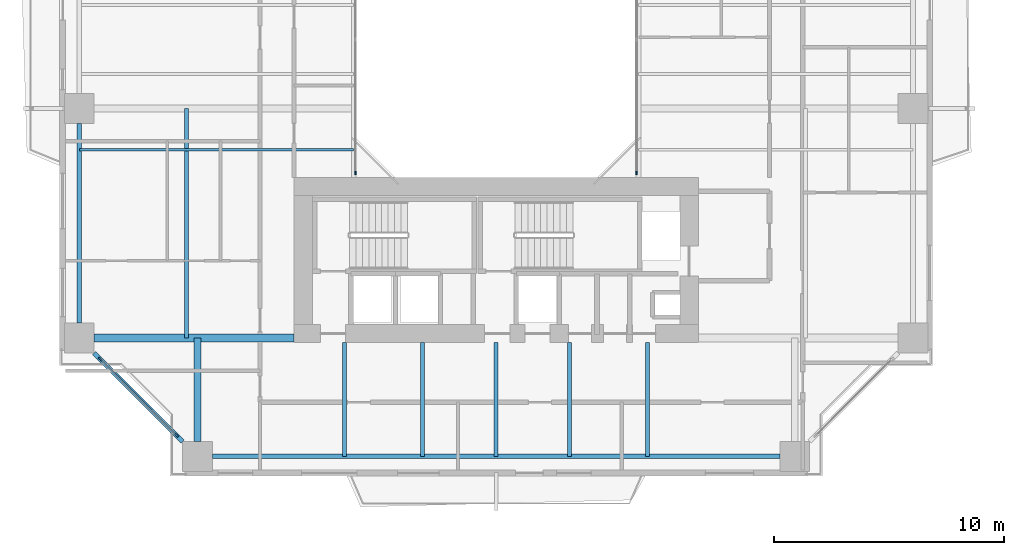
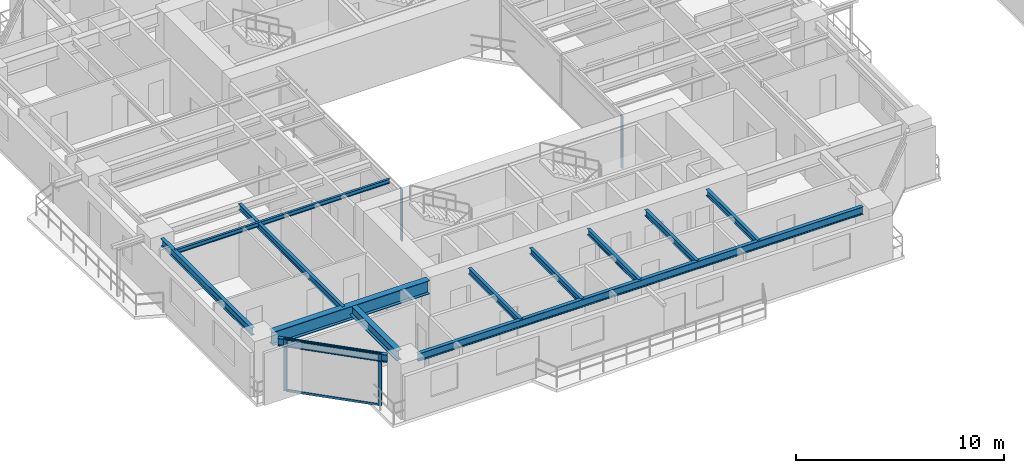
# One storey, part 2 of 23: 12 beams, 6 members, 3 elements without a shape of their own.
"""IFC4 building model written with IfcOpenShell, lengths in metres."""

import ifcopenshell
import ifcopenshell.guid

model = None  # the IFC model being written
_history = None  # IfcOwnerHistory: only IFC2X3 demands one
_inside = {}  # id of a spatial element -> (the spatial element, [elements in it])
_under = {}  # id of a project, library or spatial element -> (it, [spatial elements below it])
_declared = {}  # id of a project -> (the project, [libraries it declares])
_typed = {}  # id of a type object -> (the type object, [elements of that type])
_made_of = {}  # id of a material, layer set ... -> (it, [elements and type objects made of it])


def new_model(schema):
    """Start an empty IFC model of exactly this schema.

    Asked for "IFC4X3", IfcOpenShell would pick the latest addendum, in which some entities
    have other attributes; the version numbers below select the first issue.
    IFC2X3 requires an IfcOwnerHistory on every rooted entity: one is made here for all.
    """
    global model, _history
    if schema == "IFC4X3":
        model = ifcopenshell.file(schema_version=(4, 3, 0, 0))
    else:
        model = ifcopenshell.file(schema=schema)
    _inside.clear()
    _under.clear()
    _declared.clear()
    _typed.clear()
    _made_of.clear()
    _history = None
    if model.schema == "IFC2X3":
        org = make("IfcOrganization", Name="unknown")
        user = make(
            "IfcPersonAndOrganization",
            ThePerson=make("IfcPerson", FamilyName="unknown"),
            TheOrganization=org,
        )
        app = make(
            "IfcApplication",
            ApplicationDeveloper=org,
            Version="unknown",
            ApplicationFullName="unknown",
            ApplicationIdentifier="unknown",
        )
        _history = make(
            "IfcOwnerHistory",
            OwningUser=user,
            OwningApplication=app,
            ChangeAction="ADDED",
            CreationDate=0,
        )
    return model


def make(cls, **values):
    """One entity of the class cls with the attributes given. An attribute that is None is left unset."""
    return model.create_entity(
        cls, **{name: value for name, value in values.items() if value is not None}
    )


def rooted(cls, **values):
    """An entity with a GlobalId (a new one), such as an element, a storey or a relation."""
    return make(cls, GlobalId=ifcopenshell.guid.new(), OwnerHistory=_history, **values)


def si_unit(unit_type, name, prefix=None):
    """IfcSIUnit, for example si_unit("LENGTHUNIT", "METRE", prefix="MILLI")."""
    return make("IfcSIUnit", UnitType=unit_type, Prefix=prefix, Name=name)


def assignment(units):
    """IfcUnitAssignment: the units of a project."""
    return None if units is None else make("IfcUnitAssignment", Units=units)


def point(xyz):
    """IfcCartesianPoint."""
    return None if xyz is None else make("IfcCartesianPoint", Coordinates=xyz)


def direction(xyz):
    """IfcDirection."""
    return None if xyz is None else make("IfcDirection", DirectionRatios=xyz)


def frame(location, z_axis=None, x_axis=None):
    """IfcAxis2Placement3D, a coordinate frame: its origin and axes. An axis left out is left unset."""
    return make(
        "IfcAxis2Placement3D",
        Location=point(location),
        Axis=direction(z_axis),
        RefDirection=direction(x_axis),
    )


def frame_2d(location, x_axis=None):
    """IfcAxis2Placement2D, a coordinate frame in the plane: its origin and x axis."""
    return make(
        "IfcAxis2Placement2D", Location=point(location), RefDirection=direction(x_axis)
    )


def origin():
    """The frame at (0, 0, 0) with its axes left unset."""
    return frame((0.0, 0.0, 0.0))


def origin_2d():
    """The frame at (0, 0) in the plane with its x axis left unset."""
    return frame_2d((0.0, 0.0))


def place(relative_to, where):
    """IfcLocalPlacement: puts the frame where relative to a parent placement (None: the world)."""
    return make(
        "IfcLocalPlacement", PlacementRelTo=relative_to, RelativePlacement=where
    )


def context(
    kind, dimensions, precision=None, world=None, true_north=None, identifier=None
):
    """IfcGeometricRepresentationContext, for example the 3D "Model" context."""
    return make(
        "IfcGeometricRepresentationContext",
        ContextIdentifier=identifier,
        ContextType=kind,
        CoordinateSpaceDimension=dimensions,
        Precision=precision,
        WorldCoordinateSystem=world,
        TrueNorth=true_north,
    )


def subcontext(parent, identifier, kind, view, scale=None):
    """IfcGeometricRepresentationSubContext, for example "Body" below "Model"."""
    return make(
        "IfcGeometricRepresentationSubContext",
        ContextIdentifier=identifier,
        ContextType=kind,
        ParentContext=parent,
        TargetScale=scale,
        TargetView=view,
    )


def project(units=None, contexts=None):
    """IfcProject with its units and contexts."""
    return rooted(
        "IfcProject",
        Name="project",
        RepresentationContexts=contexts,
        UnitsInContext=assignment(units),
    )


def spatial(cls, under=None, at=None, **own):
    """A site, building, storey or space (cls), placed at a placement, below another one or the project."""
    s = rooted(cls, ObjectPlacement=at, **own)
    if under is not None:
        _under.setdefault(under.id(), (under, []))[1].append(s)
    return s


def profile(cls, at=None, kind="AREA", **sizes):
    """A parametric profile (cls). Its sizes go by their IFC names, for example OverallWidth=200.0."""
    return make(cls, ProfileType=kind, Position=at, **sizes)


def rectangle(**sizes):
    """IfcRectangleProfileDef."""
    return profile("IfcRectangleProfileDef", **sizes)


def i_section(**sizes):
    """IfcIShapeProfileDef."""
    return profile("IfcIShapeProfileDef", **sizes)


def extrude(swept, where, along, depth):
    """IfcExtrudedAreaSolid: the profile swept, set in the frame where, extruded along a direction by depth."""
    return make(
        "IfcExtrudedAreaSolid",
        SweptArea=swept,
        Position=where,
        ExtrudedDirection=direction(along),
        Depth=depth,
    )


def shape(context_of_items, identifier, shape_type, items):
    """IfcShapeRepresentation: the items that make up one representation, for example the "Body"."""
    return make(
        "IfcShapeRepresentation",
        ContextOfItems=context_of_items,
        RepresentationIdentifier=identifier,
        RepresentationType=shape_type,
        Items=items,
    )


def source(mapping_origin, context_of_items, identifier, shape_type, items):
    """IfcRepresentationMap: a shape defined once, which mapped items show again and again."""
    return make(
        "IfcRepresentationMap",
        MappingOrigin=mapping_origin,
        MappedRepresentation=shape(context_of_items, identifier, shape_type, items),
    )


def transform(
    local_origin,
    x_axis=None,
    y_axis=None,
    z_axis=None,
    scale=None,
    scale2=None,
    scale3=None,
    uniform=True,
):
    """IfcCartesianTransformationOperator3D, or its non-uniform kind. x_axis, y_axis, z_axis: its Axis1, 2, 3."""
    if uniform:
        return make(
            "IfcCartesianTransformationOperator3D",
            Axis1=direction(x_axis),
            Axis2=direction(y_axis),
            LocalOrigin=point(local_origin),
            Scale=scale,
            Axis3=direction(z_axis),
        )
    return make(
        "IfcCartesianTransformationOperator3DnonUniform",
        Axis1=direction(x_axis),
        Axis2=direction(y_axis),
        LocalOrigin=point(local_origin),
        Scale=scale,
        Axis3=direction(z_axis),
        Scale2=scale2,
        Scale3=scale3,
    )


def mapped(mapping_source, mapping_target):
    """IfcMappedItem: shows the shape of a source again, moved by a transform."""
    return make(
        "IfcMappedItem", MappingSource=mapping_source, MappingTarget=mapping_target
    )


def material(Name=None, Category=None):
    """IfcMaterial."""
    return make("IfcMaterial", Name=Name, Category=Category)


def layer(
    of_material, thickness, ventilated=None, Name=None, Category=None, Priority=None
):
    """IfcMaterialLayer: one layer of a wall or slab, of a material (None: an air gap)."""
    return make(
        "IfcMaterialLayer",
        Material=of_material,
        LayerThickness=thickness,
        IsVentilated=ventilated,
        Name=Name,
        Category=Category,
        Priority=Priority,
    )


def layer_set(layers, Name=None):
    """IfcMaterialLayerSet."""
    return make("IfcMaterialLayerSet", MaterialLayers=layers, LayerSetName=Name)


def material_profile(
    of_material, cross_section, Name=None, Category=None, Priority=None
):
    """IfcMaterialProfile: a cross section and its material."""
    return make(
        "IfcMaterialProfile",
        Name=Name,
        Material=of_material,
        Profile=cross_section,
        Priority=Priority,
        Category=Category,
    )


def profile_set(profiles, Name=None, composite=None):
    """IfcMaterialProfileSet."""
    return make(
        "IfcMaterialProfileSet",
        Name=Name,
        MaterialProfiles=profiles,
        CompositeProfile=composite,
    )


def made_of(thing, what):
    """Note that an element or type object is made of a material, layer set ...; save() writes the relation."""
    if what is not None:
        _made_of.setdefault(what.id(), (what, []))[1].append(thing)
    return thing


def type_object(cls, material=None, **own):
    """A type object (cls), such as IfcWallType, which elements share."""
    return made_of(rooted(cls, **own), material)


def element(
    cls,
    number,
    at=None,
    inside=None,
    cuts=None,
    type_object=None,
    material=None,
    context=None,
    identifier="Body",
    shape_type=None,
    held_by="IfcProductDefinitionShape",
    body=None,
    shapes=None,
    **own,
):
    """One element of the class cls, such as IfcWall. Its Tag is "e" and its number.

    at: its placement. inside: the storey or other place that contains it. cuts: it is an
    opening in that element (IfcRelVoidsElement). A single representation is given by context,
    identifier, shape_type and body (its items); several are given by shapes. held_by: the class
    of the entity that holds the representations. save() writes the other relations.
    """
    e = rooted(cls, Tag="e%d" % number, ObjectPlacement=at, **own)
    if body is not None:
        shapes = [shape(context, identifier, shape_type, body)]
    if shapes is not None:
        e.Representation = make(held_by, Representations=shapes)
    if inside is not None:
        _inside.setdefault(inside.id(), (inside, []))[1].append(e)
    if cuts is not None:
        rooted(
            "IfcRelVoidsElement", RelatingBuildingElement=cuts, RelatedOpeningElement=e
        )
    if type_object is not None:
        _typed.setdefault(type_object.id(), (type_object, []))[1].append(e)
    return made_of(e, material)


def aggregate(whole, parts):
    """IfcRelAggregates: a whole, such as a stair, and the parts it consists of."""
    return rooted("IfcRelAggregates", RelatingObject=whole, RelatedObjects=parts)


def save(model, path):
    """Write the relations noted so far, then the file.

    IfcRelAggregates (storeys below a building ...), IfcRelContainedInSpatialStructure (elements
    in a storey), IfcRelDefinesByType, IfcRelAssociatesMaterial and IfcRelDeclares: one each for
    every whole, place, type object, material and project.
    """
    for whole, parts in _under.values():
        aggregate(whole, parts)
    for where, things in _inside.values():
        rooted(
            "IfcRelContainedInSpatialStructure",
            RelatedElements=things,
            RelatingStructure=where,
        )
    for kind, things in _typed.values():
        rooted("IfcRelDefinesByType", RelatedObjects=things, RelatingType=kind)
    for what, things in _made_of.values():
        rooted("IfcRelAssociatesMaterial", RelatedObjects=things, RelatingMaterial=what)
    for by, libraries in _declared.values():
        rooted("IfcRelDeclares", RelatingContext=by, RelatedDefinitions=libraries)
    model.write(path)


model = new_model("IFC4")

# Units and contexts
model_context = context("Model", 3, precision=1e-05, world=origin(), true_north=direction((0.0, 1.0)))
body_context = subcontext(model_context, "Body", "Model", "MODEL_VIEW")
ifc_project = project(units=[si_unit("LENGTHUNIT", "METRE"), si_unit("AREAUNIT", "SQUARE_METRE"), si_unit("VOLUMEUNIT", "CUBIC_METRE"), si_unit("PLANEANGLEUNIT", "RADIAN"), si_unit("MASSUNIT", "GRAM", prefix="KILO"), si_unit("THERMODYNAMICTEMPERATUREUNIT", "KELVIN"), si_unit("POWERUNIT", "WATT")], contexts=[model_context])

# Site, building, storey
site_placement = place(None, origin())
site = spatial("IfcSite", under=ifc_project, at=site_placement, CompositionType="ELEMENT")
building_placement = place(site_placement, origin())
building = spatial("IfcBuilding", under=site, at=building_placement, Name="Qiaomeng Ring Towers", CompositionType="ELEMENT")
storey_placement = place(building_placement, frame((0.0, 0.0, 86.0)))
storey = spatial("IfcBuildingStorey", under=building, at=storey_placement, Name="L24", CompositionType="ELEMENT", Elevation=86.0)

# Beams
ifc_material_1 = material(Name="Steel Q355B", Category="steel")
ifc_material_profile_1 = material_profile(ifc_material_1, i_section(OverallWidth=0.199951171875, OverallDepth=0.449951171875, WebThickness=0.009033203125, FlangeThickness=0.013916015625, FilletRadius=0.01806640625, at=origin_2d()), Name="HN 450x200x9x14")
ifc_profile_set_1 = profile_set([ifc_material_profile_1], Name="Steel Q355B")
beam_type_1 = type_object("IfcBeamType", Name="STR-BM-HN450", PredefinedType="SPANDREL", material=ifc_profile_set_1)
shared_shape_1 = source(origin(), body_context, "Body", "SweptSolid", [
    extrude(i_section(OverallWidth=0.199951171875, OverallDepth=0.449951171875, WebThickness=0.009033203125, FlangeThickness=0.013916015625, FilletRadius=0.01806640625, at=origin_2d()), origin(), (0.0, 0.0, 1.0), 24.7021484375),
])
beam_1_placement = place(storey_placement, frame((6.64892578125, 4.85009765625, 2.844970703125), z_axis=(1.0, 0.0, 0.0), x_axis=(0.0, 1.0, 0.0)))
element("IfcBeam", 1, at=beam_1_placement, inside=storey, type_object=beam_type_1, Name="L24 beam STR-SP-L24-T1-S1-S2", PredefinedType="SPANDREL", context=body_context, shape_type="MappedRepresentation", body=[
    mapped(shared_shape_1, transform((0.0, 0.0, 0.0), x_axis=(1.0, 0.0, 0.0), y_axis=(0.0, 1.0, 0.0), z_axis=(0.0, 0.0, 1.0), scale=1.0)),
])
shared_shape_2 = source(origin(), body_context, "Body", "SweptSolid", [
    extrude(i_section(OverallWidth=0.199951171875, OverallDepth=0.449951171875, WebThickness=0.009033203125, FlangeThickness=0.013916015625, FilletRadius=0.01806640625, at=origin_2d()), origin(), (0.0, 0.0, 1.0), 5.446533203125),
])
beam_2_placement = place(storey_placement, frame((1.499267578125, 9.3505859375, 2.844970703125), z_axis=(0.707106781187, -0.707106781187, 0.0), x_axis=(0.707106781187, 0.707106781187, 0.0)))
element("IfcBeam", 2, at=beam_2_placement, inside=storey, type_object=beam_type_1, Name="L24 beam STR-SP-L24-T1-W1-S1", PredefinedType="SPANDREL", context=body_context, shape_type="MappedRepresentation", body=[
    mapped(shared_shape_2, transform((0.0, 0.0, 0.0), x_axis=(1.0, 0.0, 0.0), y_axis=(0.0, 1.0, 0.0), z_axis=(0.0, 0.0, 1.0), scale=1.0)),
])
shared_shape_3 = source(origin(), body_context, "Body", "SweptSolid", [
    extrude(i_section(OverallWidth=0.199951171875, OverallDepth=0.449951171875, WebThickness=0.009033203125, FlangeThickness=0.013916015625, FilletRadius=0.01806640625, at=origin_2d()), origin(), (0.0, 0.0, 1.0), 8.7021484375),
])
beam_3_placement = place(storey_placement, frame((0.85009765625, 19.35107421875, 2.844970703125), z_axis=(0.0, -1.0, 0.0), x_axis=(1.0, 0.0, 0.0)))
element("IfcBeam", 3, at=beam_3_placement, inside=storey, type_object=beam_type_1, Name="L24 beam STR-SP-L24-T1-W2-W1", PredefinedType="SPANDREL", context=body_context, shape_type="MappedRepresentation", body=[
    mapped(shared_shape_3, transform((0.0, 0.0, 0.0), x_axis=(1.0, 0.0, 0.0), y_axis=(0.0, 1.0, 0.0), z_axis=(0.0, 0.0, 1.0), scale=1.0)),
])
ifc_material_2 = material(Name="Steel Q390GJC", Category="steel")
ifc_material_profile_2 = material_profile(ifc_material_2, i_section(OverallWidth=0.35009765625, OverallDepth=0.800048828125, WebThickness=0.01611328125, FlangeThickness=0.028076171875, at=origin_2d()), Name="WH 800x350x16x28")
ifc_profile_set_2 = profile_set([ifc_material_profile_2], Name="Steel Q390GJC")
beam_type_2 = type_object("IfcBeamType", Name="STR-BM-WH800", PredefinedType="BEAM", material=ifc_profile_set_2)
shared_shape_4 = source(origin(), body_context, "Body", "SweptSolid", [
    extrude(i_section(OverallWidth=0.35009765625, OverallDepth=0.800048828125, WebThickness=0.01611328125, FlangeThickness=0.028076171875, at=origin_2d()), origin(), (0.0, 0.0, 1.0), 8.700927734375),
])
beam_4_placement = place(storey_placement, frame((1.4990234375, 10.0, 2.669921875), z_axis=(1.0, 0.0, 0.0), x_axis=(0.0, 1.0, 0.0)))
element("IfcBeam", 4, at=beam_4_placement, inside=storey, type_object=beam_type_2, Name="L24 beam STR-BM-L24-T1-RAD-W1", PredefinedType="BEAM", context=body_context, shape_type="MappedRepresentation", body=[
    mapped(shared_shape_4, transform((0.0, 0.0, 0.0), x_axis=(1.0, 0.0, 0.0), y_axis=(0.0, 1.0, 0.0), z_axis=(0.0, 0.0, 1.0), scale=1.0)),
])
ifc_material_profile_3 = material_profile(ifc_material_1, i_section(OverallWidth=0.300048828125, OverallDepth=0.587890625, WebThickness=0.011962890625, FlangeThickness=0.02001953125, FilletRadius=0.028076171875, at=origin_2d()), Name="HM 588x300x12x20")
ifc_profile_set_3 = profile_set([ifc_material_profile_3], Name="Steel Q355B")
beam_type_3 = type_object("IfcBeamType", Name="STR-BM-HM588", PredefinedType="BEAM", material=ifc_profile_set_3)
shared_shape_5 = source(origin(), body_context, "Body", "SweptSolid", [
    extrude(i_section(OverallWidth=0.300048828125, OverallDepth=0.587890625, WebThickness=0.011962890625, FlangeThickness=0.02001953125, FilletRadius=0.028076171875, at=origin_2d()), origin(), (0.0, 0.0, 1.0), 4.5009765625),
])
beam_5_placement = place(storey_placement, frame((6.0, 5.4990234375, 2.77587890625), z_axis=(0.0, 1.0, 0.0), x_axis=(-1.0, 0.0, 0.0)))
element("IfcBeam", 5, at=beam_5_placement, inside=storey, type_object=beam_type_3, Name="L24 beam STR-BM-L24-T1-RAD-S1", PredefinedType="BEAM", context=body_context, shape_type="MappedRepresentation", body=[
    mapped(shared_shape_5, transform((0.0, 0.0, 0.0), x_axis=(1.0, 0.0, 0.0), y_axis=(0.0, 1.0, 0.0), z_axis=(0.0, 0.0, 1.0), scale=1.0)),
])
ifc_material_profile_4 = material_profile(ifc_material_1, i_section(OverallWidth=0.175048828125, OverallDepth=0.35009765625, WebThickness=0.007080078125, FlangeThickness=0.010986328125, FilletRadius=0.013916015625, at=origin_2d()), Name="HN 350x175x7x11")
ifc_profile_set_4 = profile_set([ifc_material_profile_4], Name="Steel Q355B")
beam_type_4 = type_object("IfcBeamType", Name="STR-BM-HN350", PredefinedType="JOIST", material=ifc_profile_set_4)
shared_shape_6 = source(origin(), body_context, "Body", "SweptSolid", [
    extrude(i_section(OverallWidth=0.175048828125, OverallDepth=0.35009765625, WebThickness=0.007080078125, FlangeThickness=0.010986328125, FilletRadius=0.013916015625, at=origin_2d()), origin(), (0.0, 0.0, 1.0), 4.949951171875),
])
for number, where, z_axis, x_axis, name in (
    (6, (12.39990234375, 4.85009765625, 2.89501953125), (0.0, 1.0, 0.0), (-1.0, 0.0, 0.0), "L24 beam STR-JST-L24-T1S-1"),
    (7, (15.800048828125, 4.85009765625, 2.89501953125), (0.0, 1.0, 0.0), (-1.0, 0.0, 0.0), "L24 beam STR-JST-L24-T1S-2"),
    (8, (19.0, 4.85009765625, 2.89501953125), (0.0, 1.0, 0.0), (-1.0, 0.0, 0.0), "L24 beam STR-JST-L24-T1S-3"),
    (9, (22.199951171875, 4.85009765625, 2.89501953125), (0.0, 1.0, 0.0), (-1.0, 0.0, 0.0), "L24 beam STR-JST-L24-T1S-4"),
    (10, (25.60009765625, 4.85009765625, 2.89501953125), (0.0, 1.0, 0.0), (-1.0, 0.0, 0.0), "L24 beam STR-JST-L24-T1S-5"),
):
    element("IfcBeam", number, at=place(storey_placement, frame(where, z_axis=z_axis, x_axis=x_axis)), inside=storey, type_object=beam_type_4, Name=name, PredefinedType="JOIST", context=body_context, shape_type="MappedRepresentation", body=[
        mapped(shared_shape_6, transform((0.0, 0.0, 0.0), x_axis=(1.0, 0.0, 0.0), y_axis=(0.0, 1.0, 0.0), z_axis=(0.0, 0.0, 1.0), scale=1.0)),
    ])
ifc_material_profile_5 = material_profile(ifc_material_1, i_section(OverallWidth=0.125, OverallDepth=0.25, WebThickness=0.006103515625, FlangeThickness=0.009033203125, FilletRadius=0.011962890625, at=origin_2d()), Name="HN 250x125x6x9")
ifc_profile_set_5 = profile_set([ifc_material_profile_5], Name="Steel Q355B")
beam_type_5 = type_object("IfcBeamType", Name="STR-BM-HN250", PredefinedType="JOIST", material=ifc_profile_set_5)
shared_shape_7 = source(origin(), body_context, "Body", "SweptSolid", [
    extrude(i_section(OverallWidth=0.125, OverallDepth=0.25, WebThickness=0.006103515625, FlangeThickness=0.009033203125, FilletRadius=0.011962890625, at=origin_2d()), origin(), (0.0, 0.0, 1.0), 11.949951171875),
])
beam_6_placement = place(storey_placement, frame((0.85009765625, 18.199951171875, 2.945068359375), z_axis=(1.0, 0.0, 0.0), x_axis=(0.0, 1.0, 0.0)))
element("IfcBeam", 11, at=beam_6_placement, inside=storey, type_object=beam_type_5, Name="L24 beam STR-JST-L24-T1W-1", PredefinedType="JOIST", context=body_context, shape_type="MappedRepresentation", body=[
    mapped(shared_shape_7, transform((0.0, 0.0, 0.0), x_axis=(1.0, 0.0, 0.0), y_axis=(0.0, 1.0, 0.0), z_axis=(0.0, 0.0, 1.0), scale=1.0)),
])
shared_shape_8 = source(origin(), body_context, "Body", "SweptSolid", [
    extrude(i_section(OverallWidth=0.175048828125, OverallDepth=0.35009765625, WebThickness=0.007080078125, FlangeThickness=0.010986328125, FilletRadius=0.013916015625, at=origin_2d()), origin(), (0.0, 0.0, 1.0), 10.0),
])
beam_7_placement = place(storey_placement, frame((5.52490234375, 10.0, 2.89501953125), z_axis=(0.0, 1.0, 0.0), x_axis=(-1.0, 0.0, 0.0)))
element("IfcBeam", 12, at=beam_7_placement, inside=storey, type_object=beam_type_4, Name="L24 beam STR-JST-L24-T1C-WS", PredefinedType="JOIST", context=body_context, shape_type="MappedRepresentation", body=[
    mapped(shared_shape_8, transform((0.0, 0.0, 0.0), x_axis=(1.0, 0.0, 0.0), y_axis=(0.0, 1.0, 0.0), z_axis=(0.0, 0.0, 1.0), scale=1.0)),
])

# Curtain wall, member
ifc_material_3 = material(Name="Fluorocarbon dark-grey aluminium", Category="aluminium")
ifc_layer_1 = layer(ifc_material_3, 0.139892578125, Name="Fluorocarbon dark-grey aluminium")
ifc_layer_set_1 = layer_set([ifc_layer_1], Name="Fluorocarbon dark-grey aluminium")
curtain_wall_type_1 = type_object("IfcCurtainWallType", Name="ARC-CW-4", PredefinedType="NOTDEFINED", material=ifc_layer_set_1)
curtain_wall_1_placement = place(storey_placement, origin())
curtain_wall_1 = element("IfcCurtainWall", 13, at=curtain_wall_1_placement, inside=storey, type_object=curtain_wall_type_1, Name="L24 Curtain Wall CW4", PredefinedType="NOTDEFINED")
ifc_material_profile_6 = material_profile(ifc_material_3, rectangle(XDim=0.06494140625, YDim=0.159912109375, at=origin_2d()), Name="ALU MULL 65x160")
ifc_profile_set_6 = profile_set([ifc_material_profile_6], Name="Fluorocarbon dark-grey aluminium")
member_type_1 = type_object("IfcMemberType", Name="ARC-CWM-140", PredefinedType="MULLION", material=ifc_profile_set_6)
shared_shape_9 = source(origin(), body_context, "Body", "SweptSolid", [
    extrude(rectangle(XDim=0.06494140625, YDim=0.159912109375, at=origin_2d()), origin(), (0.0, 0.0, 1.0), 3.070068359375),
])
member_1_placement = place(storey_placement, frame((12.8798828125, 17.1826171875, 0.0), z_axis=(0.0, 0.0, 1.0), x_axis=(-1.0, 0.0, 0.0)))
member_1 = element("IfcMember", 14, at=member_1_placement, type_object=member_type_1, Name="CW4 mullion 1", PredefinedType="MULLION", context=body_context, shape_type="MappedRepresentation", body=[
    mapped(shared_shape_9, transform((0.0, 0.0, 0.0), x_axis=(1.0, 0.0, 0.0), y_axis=(0.0, 1.0, 0.0), z_axis=(0.0, 0.0, 1.0), scale=1.0)),
])
aggregate(curtain_wall_1, [member_1])

curtain_wall_2_placement = place(storey_placement, origin())
curtain_wall_2 = element("IfcCurtainWall", 15, at=curtain_wall_2_placement, inside=storey, type_object=curtain_wall_type_1, Name="L24 Curtain Wall CW4", PredefinedType="NOTDEFINED")
member_2_placement = place(storey_placement, frame((25.1201171875, 17.1826171875, 0.0), z_axis=(0.0, 0.0, 1.0), x_axis=(-1.0, 0.0, 0.0)))
member_2 = element("IfcMember", 16, at=member_2_placement, type_object=member_type_1, Name="CW4 mullion 1", PredefinedType="MULLION", context=body_context, shape_type="MappedRepresentation", body=[
    mapped(shared_shape_9, transform((0.0, 0.0, 0.0), x_axis=(1.0, 0.0, 0.0), y_axis=(0.0, 1.0, 0.0), z_axis=(0.0, 0.0, 1.0), scale=1.0)),
])
aggregate(curtain_wall_2, [member_2])

# Curtain wall, members
ifc_layer_2 = layer(ifc_material_3, 0.159912109375, Name="Fluorocarbon dark-grey aluminium")
ifc_layer_set_2 = layer_set([ifc_layer_2], Name="Fluorocarbon dark-grey aluminium")
curtain_wall_type_2 = type_object("IfcCurtainWallType", Name="ARC-CW-2", PredefinedType="NOTDEFINED", material=ifc_layer_set_2)
curtain_wall_3_placement = place(storey_placement, origin())
curtain_wall_3 = element("IfcCurtainWall", 17, at=curtain_wall_3_placement, inside=storey, type_object=curtain_wall_type_2, Name="L24 Curtain Wall CW2", PredefinedType="NOTDEFINED")
ifc_material_profile_7 = material_profile(ifc_material_3, rectangle(XDim=0.070068359375, YDim=0.179931640625, at=origin_2d()), Name="ALU MULL 70x180")
ifc_profile_set_7 = profile_set([ifc_material_profile_7], Name="Fluorocarbon dark-grey aluminium")
member_type_2 = type_object("IfcMemberType", Name="ARC-CWM-160", PredefinedType="MULLION", material=ifc_profile_set_7)
shared_shape_10 = source(origin(), body_context, "Body", "SweptSolid", [
    extrude(rectangle(XDim=0.070068359375, YDim=0.179931640625, at=origin_2d()), origin(), (0.0, 0.0, 1.0), 3.070068359375),
])
member_3_placement = place(storey_placement, frame((1.7646484375, 9.085205078125, 0.0), z_axis=(0.0, 0.0, 1.0), x_axis=(0.707106781187, 0.707106781187, 0.0)))
member_3 = element("IfcMember", 18, at=member_3_placement, type_object=member_type_2, Name="CW2 mullion 1", PredefinedType="MULLION", context=body_context, shape_type="MappedRepresentation", body=[
    mapped(shared_shape_10, transform((0.0, 0.0, 0.0), x_axis=(1.0, 0.0, 0.0), y_axis=(0.0, 1.0, 0.0), z_axis=(0.0, 0.0, 1.0), scale=1.0)),
])
member_4_placement = place(storey_placement, frame((5.085205078125, 5.7646484375, 0.0), z_axis=(0.0, 0.0, 1.0), x_axis=(0.707106781187, 0.707106781187, 0.0)))
member_4 = element("IfcMember", 19, at=member_4_placement, type_object=member_type_2, Name="CW2 mullion 2", PredefinedType="MULLION", context=body_context, shape_type="MappedRepresentation", body=[
    mapped(shared_shape_10, transform((0.0, 0.0, 0.0), x_axis=(1.0, 0.0, 0.0), y_axis=(0.0, 1.0, 0.0), z_axis=(0.0, 0.0, 1.0), scale=1.0)),
])
ifc_material_profile_8 = material_profile(ifc_material_3, rectangle(XDim=0.06494140625, YDim=0.1298828125, at=origin_2d()), Name="ALU TRAN 65x130")
ifc_profile_set_8 = profile_set([ifc_material_profile_8], Name="Fluorocarbon dark-grey aluminium")
member_type_3 = type_object("IfcMemberType", Name="ARC-CWT-120", PredefinedType="USERDEFINED", material=ifc_profile_set_8)
shared_shape_11 = source(origin(), body_context, "Body", "SweptSolid", [
    extrude(rectangle(XDim=0.06494140625, YDim=0.1298828125, at=origin_2d()), origin(), (0.0, 0.0, 1.0), 4.6259765625),
])
member_5_placement = place(storey_placement, frame((1.78955078125, 9.060546875, 0.032470703125), z_axis=(0.707106781187, -0.707106781187, 0.0), x_axis=(0.707106781187, 0.707106781187, 0.0)))
member_5 = element("IfcMember", 20, at=member_5_placement, type_object=member_type_3, Name="CW2 transom 1.1", ObjectType="TRANSOM", PredefinedType="USERDEFINED", context=body_context, shape_type="MappedRepresentation", body=[
    mapped(shared_shape_11, transform((0.0, 0.0, 0.0), x_axis=(1.0, 0.0, 0.0), y_axis=(0.0, 1.0, 0.0), z_axis=(0.0, 0.0, 1.0), scale=1.0)),
])
member_6_placement = place(storey_placement, frame((1.78955078125, 9.060546875, 3.03759765625), z_axis=(0.707106781187, -0.707106781187, 0.0), x_axis=(0.707106781187, 0.707106781187, 0.0)))
member_6 = element("IfcMember", 21, at=member_6_placement, type_object=member_type_3, Name="CW2 transom 1.2", ObjectType="TRANSOM", PredefinedType="USERDEFINED", context=body_context, shape_type="MappedRepresentation", body=[
    mapped(shared_shape_11, transform((0.0, 0.0, 0.0), x_axis=(1.0, 0.0, 0.0), y_axis=(0.0, 1.0, 0.0), z_axis=(0.0, 0.0, 1.0), scale=1.0)),
])
aggregate(curtain_wall_3, [member_3, member_4, member_5, member_6])

save(model, "model.ifc")
